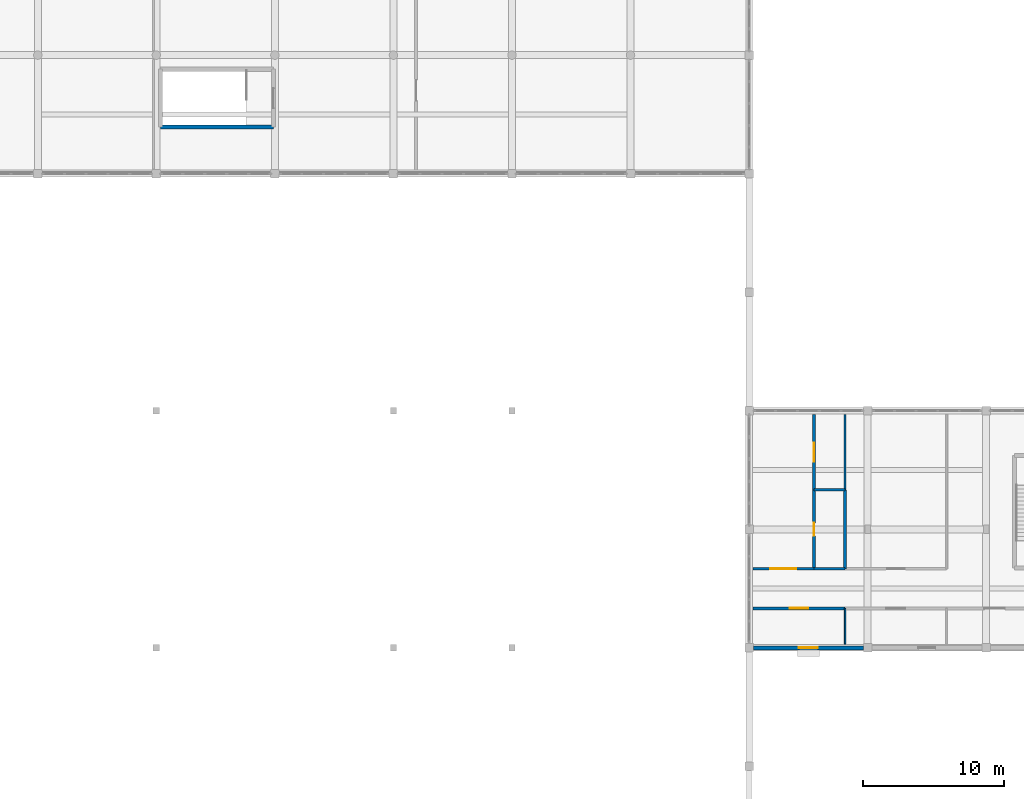
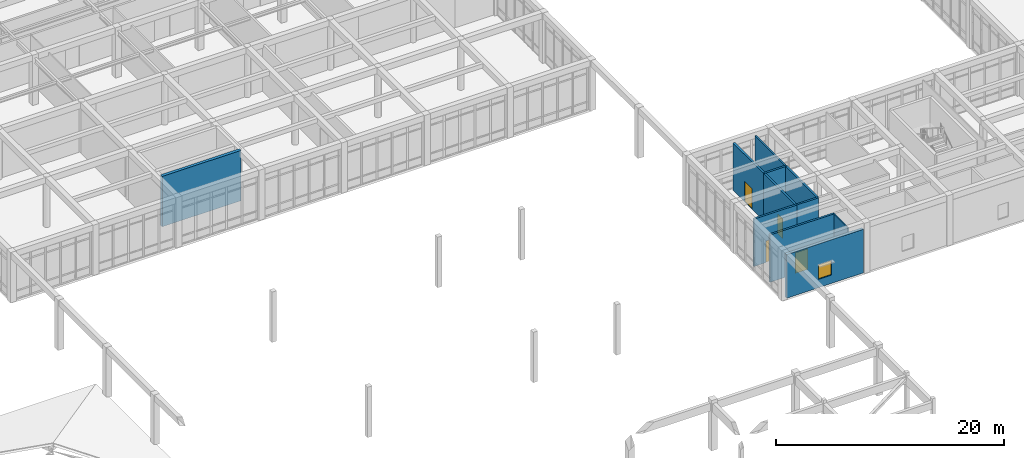
# One storey, part 53 of 89: 11 walls, 4 doors, 1 window, 5 openings.
"""IFC4 building model written with IfcOpenShell, lengths in metres."""

from ifc_helpers import new_model, si_unit, direction, frame, frame_2d, origin, place, context, subcontext, project, spatial, rectangle, extrude, material, layer, layer_set, type_object, element, fill, save


model = new_model("IFC4")

# Units and contexts
model_context = context("Model", 3, precision=1e-05, world=origin(), true_north=direction((0.0, 1.0)))
body_context = subcontext(model_context, "Body", "Model", "MODEL_VIEW")
ifc_project = project(units=[si_unit("LENGTHUNIT", "METRE"), si_unit("AREAUNIT", "SQUARE_METRE"), si_unit("VOLUMEUNIT", "CUBIC_METRE"), si_unit("PLANEANGLEUNIT", "RADIAN"), si_unit("MASSUNIT", "GRAM", prefix="KILO")], contexts=[model_context])

# Site, building, storey
site_placement = place(None, origin())
site = spatial("IfcSite", under=ifc_project, at=site_placement, CompositionType="ELEMENT")
building_placement = place(site_placement, origin())
building = spatial("IfcBuilding", under=site, at=building_placement, Name="Varncliffe General Hospital", CompositionType="ELEMENT")
storey_placement = place(building_placement, frame((0.0, 0.0, 10.800048828125)))
storey = spatial("IfcBuildingStorey", under=building, at=storey_placement, Name="L02", CompositionType="ELEMENT", Elevation=10.800048828125)

# Wall, opening, window
ifc_material_1 = material(Name="Precast concrete C40/50 with insulated cream lime-cement stucco", Category="concrete")
ifc_layer_1 = layer(ifc_material_1, 0.2900390625)
ifc_layer_set_1 = layer_set([ifc_layer_1], Name="Precast concrete C40/50 with insulated cream lime-cement stucco")
wall_type_1 = type_object("IfcWallType", Name="Exterior Insulated Stucco Wall EW31 (290mm)", PredefinedType="SOLIDWALL", material=ifc_layer_set_1)
wall_1_placement = place(storey_placement, frame((125.701904296875, 24.0, 0.0), z_axis=(0.0, 0.0, 1.0), x_axis=(-1.0, 0.0, 0.0)))
wall_1 = element("IfcWall", 1, at=wall_1_placement, inside=storey, type_object=wall_type_1, Name="L02 Exterior Stucco Wall EW31-220", PredefinedType="SOLIDWALL", context=body_context, shape_type="SweptSolid", body=[
    extrude(rectangle(XDim=7.803955078125, YDim=0.2900390625, at=frame_2d((3.90185546875, 0.0))), origin(), (0.0, 0.0, 1.0), 4.679931640625),
])
opening_1_placement = place(wall_1_placement, frame((3.22705078125, 0.0, 0.89990234375)))
opening_1 = element("IfcOpeningElement", 2, at=opening_1_placement, cuts=wall_1, Name="Opening WN24", PredefinedType="OPENING", context=body_context, shape_type="SweptSolid", body=[
    extrude(rectangle(XDim=1.35009765625, YDim=1.550048828125, at=frame_2d((0.675048828125, 0.77490234375))), frame((0.0, 0.155029296875, 0.0), z_axis=(0.0, -1.0, 0.0), x_axis=(1.0, 0.0, 0.0)), (0.0, 0.0, 1.0), 0.31005859375),
])
ifc_material_2 = material(Name="Triple low-E argon insulated vision glazing", Category="glass")
window_type = type_object("IfcWindowType", Name="Triple-Glazed Hospital Window WN24 (1350x1550)", PartitioningType="SINGLE_PANEL", PredefinedType="WINDOW", material=ifc_material_2)
window_placement = place(opening_1_placement, origin())
window = element("IfcWindow", 3, at=window_placement, inside=storey, type_object=window_type, Name="L02 Hospital Window WN24-143", OverallHeight=1.550048828125, OverallWidth=1.35009765625, PartitioningType="SINGLE_PANEL", PredefinedType="WINDOW", context=body_context, shape_type="SweptSolid", body=[
    extrude(rectangle(XDim=1.35009765625, YDim=1.550048828125, at=frame_2d((0.675048828125, 0.77490234375))), frame((0.0, 0.030029296875, 0.0), z_axis=(0.0, -1.0, 0.0), x_axis=(1.0, 0.0, 0.0)), (0.0, 0.0, 1.0), 0.06005859375),
])
fill(opening_1, window)

# Walls
ifc_material_3 = material(Name="Acoustic clinical gypsum stud partition assembly", Category="gypsum")
ifc_layer_2 = layer(ifc_material_3, 0.14990234375)
ifc_layer_set_2 = layer_set([ifc_layer_2], Name="Acoustic clinical gypsum stud partition assembly")
wall_type_2 = type_object("IfcWallType", Name="Interior Partitioning IW35 (150mm)", PredefinedType="PARTITIONING", material=ifc_layer_set_2)
wall_2_placement = place(storey_placement, frame((124.39990234375, 35.199951171875, 0.0), z_axis=(0.0, 0.0, 1.0), x_axis=(0.0, 1.0, 0.0)))
element("IfcWall", 4, at=wall_2_placement, inside=storey, type_object=wall_type_2, Name="L02 Interior Partition Wall IW35-1239", PredefinedType="PARTITIONING", context=body_context, shape_type="SweptSolid", body=[
    extrude(rectangle(XDim=5.340087890625, YDim=0.14990234375, at=frame_2d((2.669921875, 0.0))), origin(), (0.0, 0.0, 1.0), 5.070068359375),
])
ifc_layer_3 = layer(ifc_material_3, 0.110107421875)
ifc_layer_set_3 = layer_set([ifc_layer_3], Name="Acoustic clinical gypsum stud partition assembly")
wall_type_3 = type_object("IfcWallType", Name="Interior Partitioning IW65 (110mm)", PredefinedType="PARTITIONING", material=ifc_layer_set_3)
wall_3_placement = place(storey_placement, frame((124.39990234375, 24.260009765625, 0.0), z_axis=(0.0, 0.0, 1.0), x_axis=(0.0, 1.0, 0.0)))
element("IfcWall", 5, at=wall_3_placement, inside=storey, type_object=wall_type_3, Name="L02 Interior Partition Wall IW65-1237", PredefinedType="PARTITIONING", context=body_context, shape_type="SweptSolid", body=[
    extrude(rectangle(XDim=2.5400390625, YDim=0.110107421875, at=frame_2d((1.27001953125, 0.0))), origin(), (0.0, 0.0, 1.0), 5.070068359375),
])

# Wall, opening, door
ifc_material_4 = material(Name="Fire-rated gypsum and mineral-wool partition assembly", Category="gypsum")
ifc_layer_4 = layer(ifc_material_4, 0.199951171875)
ifc_layer_set_4 = layer_set([ifc_layer_4], Name="Fire-rated gypsum and mineral-wool partition assembly")
wall_type_4 = type_object("IfcWallType", Name="Interior Partitioning PW63 (200mm)", PredefinedType="PARTITIONING", material=ifc_layer_set_4)
wall_4_placement = place(storey_placement, frame((117.860107421875, 26.800048828125, 0.0), z_axis=(0.0, 0.0, 1.0), x_axis=(1.0, 0.0, 0.0)))
wall_4 = element("IfcWall", 6, at=wall_4_placement, inside=storey, type_object=wall_type_4, Name="L02 Interior Partition Wall PW63-898", PredefinedType="PARTITIONING", context=body_context, shape_type="SweptSolid", body=[
    extrude(rectangle(XDim=6.539794921875, YDim=0.199951171875, at=frame_2d((3.27001953125, 0.0))), origin(), (0.0, 0.0, 1.0), 5.070068359375),
])
opening_2_placement = place(wall_4_placement, frame((2.6201171875, 0.0, 0.0)))
opening_2 = element("IfcOpeningElement", 7, at=opening_2_placement, cuts=wall_4, Name="Opening DC88", PredefinedType="OPENING", context=body_context, shape_type="SweptSolid", body=[
    extrude(rectangle(XDim=1.300048828125, YDim=2.199951171875, at=frame_2d((0.64990234375, 1.10009765625))), frame((0.0, 0.10986328125, 0.0), z_axis=(0.0, -1.0, 0.0), x_axis=(1.0, 0.0, 0.0)), (0.0, 0.0, 1.0), 0.219970703125),
])
ifc_material_5 = material(Name="Fire-rated hospital steel-frame vision-panel door", Category="steel")
door_type_1 = type_object("IfcDoorType", Name="Interior Hospital Door DC88 (1300x2200)", OperationType="NOTDEFINED", PredefinedType="DOOR", material=ifc_material_5)
door_1_placement = place(opening_2_placement, frame((1.300048828125, 0.0, 0.0), z_axis=(0.0, 0.0, 1.0), x_axis=(-1.0, 0.0, 0.0)))
door_1 = element("IfcDoor", 8, at=door_1_placement, inside=storey, type_object=door_type_1, Name="L02 Day Surgery Preparation and Recovery Bay 104 Door", OperationType="SINGLE_SWING_LEFT", OverallHeight=2.199951171875, OverallWidth=1.300048828125, PredefinedType="DOOR", context=body_context, shape_type="SweptSolid", body=[
    extrude(rectangle(XDim=1.300048828125, YDim=2.199951171875, at=frame_2d((0.64990234375, 1.10009765625))), frame((0.0, 0.02490234375, 0.0), z_axis=(0.0, -1.0, 0.0), x_axis=(1.0, 0.0, 0.0)), (0.0, 0.0, 1.0), 0.050048828125),
])
fill(opening_2, door_1)

wall_5_placement = place(storey_placement, frame((117.860107421875, 29.60009765625, 0.0), z_axis=(0.0, 0.0, 1.0), x_axis=(1.0, 0.0, 0.0)))
wall_5 = element("IfcWall", 9, at=wall_5_placement, inside=storey, type_object=wall_type_4, Name="L02 Interior Partition Wall PW63-905", PredefinedType="PARTITIONING", context=body_context, shape_type="SweptSolid", body=[
    extrude(rectangle(XDim=4.33984375, YDim=0.199951171875, at=frame_2d((2.169921875, 0.0))), origin(), (0.0, 0.0, 1.0), 5.070068359375),
])
opening_3_placement = place(wall_5_placement, frame((1.2451171875, 0.0, 0.0)))
opening_3 = element("IfcOpeningElement", 10, at=opening_3_placement, cuts=wall_5, Name="Opening DC38", PredefinedType="OPENING", context=body_context, shape_type="SweptSolid", body=[
    extrude(rectangle(XDim=1.85009765625, YDim=2.300048828125, at=frame_2d((0.925048828125, 1.14990234375))), frame((0.0, 0.10986328125, 0.0), z_axis=(0.0, -1.0, 0.0), x_axis=(1.0, 0.0, 0.0)), (0.0, 0.0, 1.0), 0.219970703125),
])
door_type_2 = type_object("IfcDoorType", Name="Interior Hospital Door DC38 (1850x2300)", OperationType="NOTDEFINED", PredefinedType="DOOR", material=ifc_material_5)
door_2_placement = place(opening_3_placement, origin())
door_2 = element("IfcDoor", 11, at=door_2_placement, inside=storey, type_object=door_type_2, Name="L02 Day Surgery Preparation and Recovery Bay 99 Door", OperationType="SINGLE_SWING_RIGHT", OverallHeight=2.300048828125, OverallWidth=1.85009765625, PredefinedType="DOOR", context=body_context, shape_type="SweptSolid", body=[
    extrude(rectangle(XDim=1.85009765625, YDim=2.300048828125, at=frame_2d((0.925048828125, 1.14990234375))), frame((0.0, 0.02490234375, 0.0), z_axis=(0.0, -1.0, 0.0), x_axis=(1.0, 0.0, 0.0)), (0.0, 0.0, 1.0), 0.050048828125),
])
fill(opening_3, door_2)

wall_6_placement = place(storey_placement, frame((122.199951171875, 29.60009765625, 0.0), z_axis=(0.0, 0.0, 1.0), x_axis=(0.0, 1.0, 0.0)))
wall_6 = element("IfcWall", 12, at=wall_6_placement, inside=storey, type_object=wall_type_4, Name="L02 Interior Partition Wall PW63-1235", PredefinedType="PARTITIONING", context=body_context, shape_type="SweptSolid", body=[
    extrude(rectangle(XDim=5.599853515625, YDim=0.199951171875, at=frame_2d((2.7998046875, 0.0))), origin(), (0.0, 0.0, 1.0), 5.070068359375),
])
opening_4_placement = place(wall_6_placement, frame((2.340087890625, 0.0, 0.0)))
opening_4 = element("IfcOpeningElement", 13, at=opening_4_placement, cuts=wall_6, Name="Opening DI70", PredefinedType="OPENING", context=body_context, shape_type="SweptSolid", body=[
    extrude(rectangle(XDim=0.919921875, YDim=2.10009765625, at=frame_2d((0.4599609375, 1.050048828125))), frame((0.0, 0.10986328125, 0.0), z_axis=(0.0, -1.0, 0.0), x_axis=(1.0, 0.0, 0.0)), (0.0, 0.0, 1.0), 0.219970703125),
])
ifc_material_6 = material(Name="Solid-core antimicrobial hospital oak veneer door", Category="wood")
door_type_3 = type_object("IfcDoorType", Name="Interior Hospital Door DI70 (920x2100)", OperationType="NOTDEFINED", PredefinedType="DOOR", material=ifc_material_6)
door_3_placement = place(opening_4_placement, frame((0.919921875, 0.0, 0.0), z_axis=(0.0, 0.0, 1.0), x_axis=(-1.0, 0.0, 0.0)))
door_3 = element("IfcDoor", 14, at=door_3_placement, inside=storey, type_object=door_type_3, Name="L02 En-Suite Bathroom 100 Door", OperationType="SINGLE_SWING_LEFT", OverallHeight=2.10009765625, OverallWidth=0.919921875, PredefinedType="DOOR", context=body_context, shape_type="SweptSolid", body=[
    extrude(rectangle(XDim=0.919921875, YDim=2.10009765625, at=frame_2d((0.4599609375, 1.050048828125))), frame((0.0, 0.02490234375, 0.0), z_axis=(0.0, -1.0, 0.0), x_axis=(1.0, 0.0, 0.0)), (0.0, 0.0, 1.0), 0.050048828125),
])
fill(opening_4, door_3)

wall_7_placement = place(storey_placement, frame((122.199951171875, 35.199951171875, 0.0), z_axis=(0.0, 0.0, 1.0), x_axis=(0.0, 1.0, 0.0)))
wall_7 = element("IfcWall", 15, at=wall_7_placement, inside=storey, type_object=wall_type_4, Name="L02 Interior Partition Wall PW63-1236", PredefinedType="PARTITIONING", context=body_context, shape_type="SweptSolid", body=[
    extrude(rectangle(XDim=5.340087890625, YDim=0.199951171875, at=frame_2d((2.669921875, 0.0))), origin(), (0.0, 0.0, 1.0), 5.070068359375),
])
opening_5_placement = place(wall_7_placement, frame((1.9951171875, 0.0, 0.0)))
opening_5 = element("IfcOpeningElement", 16, at=opening_5_placement, cuts=wall_7, Name="Opening DC85", PredefinedType="OPENING", context=body_context, shape_type="SweptSolid", body=[
    extrude(rectangle(XDim=1.35009765625, YDim=2.199951171875, at=frame_2d((0.675048828125, 1.10009765625))), frame((0.0, 0.10986328125, 0.0), z_axis=(0.0, -1.0, 0.0), x_axis=(1.0, 0.0, 0.0)), (0.0, 0.0, 1.0), 0.219970703125),
])
door_type_4 = type_object("IfcDoorType", Name="Interior Hospital Door DC85 (1350x2200)", OperationType="NOTDEFINED", PredefinedType="DOOR", material=ifc_material_5)
door_4_placement = place(opening_5_placement, frame((1.35009765625, 0.0, 0.0), z_axis=(0.0, 0.0, 1.0), x_axis=(-1.0, 0.0, 0.0)))
door_4 = element("IfcDoor", 17, at=door_4_placement, inside=storey, type_object=door_type_4, Name="L02 Patient Medication and Hygiene Bay 101 Door", OperationType="SINGLE_SWING_RIGHT", OverallHeight=2.199951171875, OverallWidth=1.35009765625, PredefinedType="DOOR", context=body_context, shape_type="SweptSolid", body=[
    extrude(rectangle(XDim=1.35009765625, YDim=2.199951171875, at=frame_2d((0.675048828125, 1.10009765625))), frame((0.0, 0.02490234375, 0.0), z_axis=(0.0, -1.0, 0.0), x_axis=(1.0, 0.0, 0.0)), (0.0, 0.0, 1.0), 0.050048828125),
])
fill(opening_5, door_4)

# Walls
ifc_material_7 = material(Name="Moisture-resistant plumbing chase wall assembly", Category="gypsum")
ifc_layer_5 = layer(ifc_material_7, 0.18994140625)
ifc_layer_set_5 = layer_set([ifc_layer_5], Name="Moisture-resistant plumbing chase wall assembly")
wall_type_5 = type_object("IfcWallType", Name="Interior Plumbingwall MW17 (190mm)", PredefinedType="PLUMBINGWALL", material=ifc_layer_set_5)
for number, where, z_axis, x_axis, name in (
    (18, (122.199951171875, 29.60009765625, 0.0), (0.0, 0.0, 1.0), (1.0, 0.0, 0.0), "L02 Interior Plumbing Wall MW17-906"),
    (19, (122.199951171875, 35.199951171875, 0.0), (0.0, 0.0, 1.0), (1.0, 0.0, 0.0), "L02 Interior Plumbing Wall MW17-910"),
):
    element("IfcWall", number, at=place(storey_placement, frame(where, z_axis=z_axis, x_axis=x_axis)), inside=storey, type_object=wall_type_5, Name=name, PredefinedType="PLUMBINGWALL", context=body_context, shape_type="SweptSolid", body=[
        extrude(rectangle(XDim=2.199951171875, YDim=0.18994140625, at=frame_2d((1.10009765625, 0.0))), origin(), (0.0, 0.0, 1.0), 5.070068359375),
    ])
wall_8_placement = place(storey_placement, frame((124.39990234375, 29.60009765625, 0.0), z_axis=(0.0, 0.0, 1.0), x_axis=(0.0, 1.0, 0.0)))
element("IfcWall", 20, at=wall_8_placement, inside=storey, type_object=wall_type_5, Name="L02 Interior Plumbing Wall MW17-1238", PredefinedType="PLUMBINGWALL", context=body_context, shape_type="SweptSolid", body=[
    extrude(rectangle(XDim=5.599853515625, YDim=0.18994140625, at=frame_2d((2.7998046875, 0.0))), origin(), (0.0, 0.0, 1.0), 5.070068359375),
])
ifc_material_8 = material(Name="Concrete C40/50 (CSA A23.1 40 MPa)", Category="concrete")
ifc_layer_6 = layer(ifc_material_8, 0.300048828125)
ifc_layer_set_6 = layer_set([ifc_layer_6], Name="Concrete C40/50 (CSA A23.1 40 MPa)")
wall_type_6 = type_object("IfcWallType", Name="Reinforced Concrete Core Shear Wall CW12 (300mm)", PredefinedType="SHEAR", material=ifc_layer_set_6)
wall_9_placement = place(storey_placement, frame((75.89990234375, 60.89990234375, 0.0), z_axis=(0.0, 0.0, 1.0), x_axis=(1.0, 0.0, 0.0)))
element("IfcWall", 21, at=wall_9_placement, inside=storey, type_object=wall_type_6, Name="L02 ST16 Core Shear Wall R", PredefinedType="SHEAR", context=body_context, shape_type="SweptSolid", body=[
    extrude(rectangle(XDim=8.0, YDim=0.300048828125, at=frame_2d((4.0, 0.0))), origin(), (0.0, 0.0, 1.0), 5.39990234375),
])

save(model, "model.ifc")
